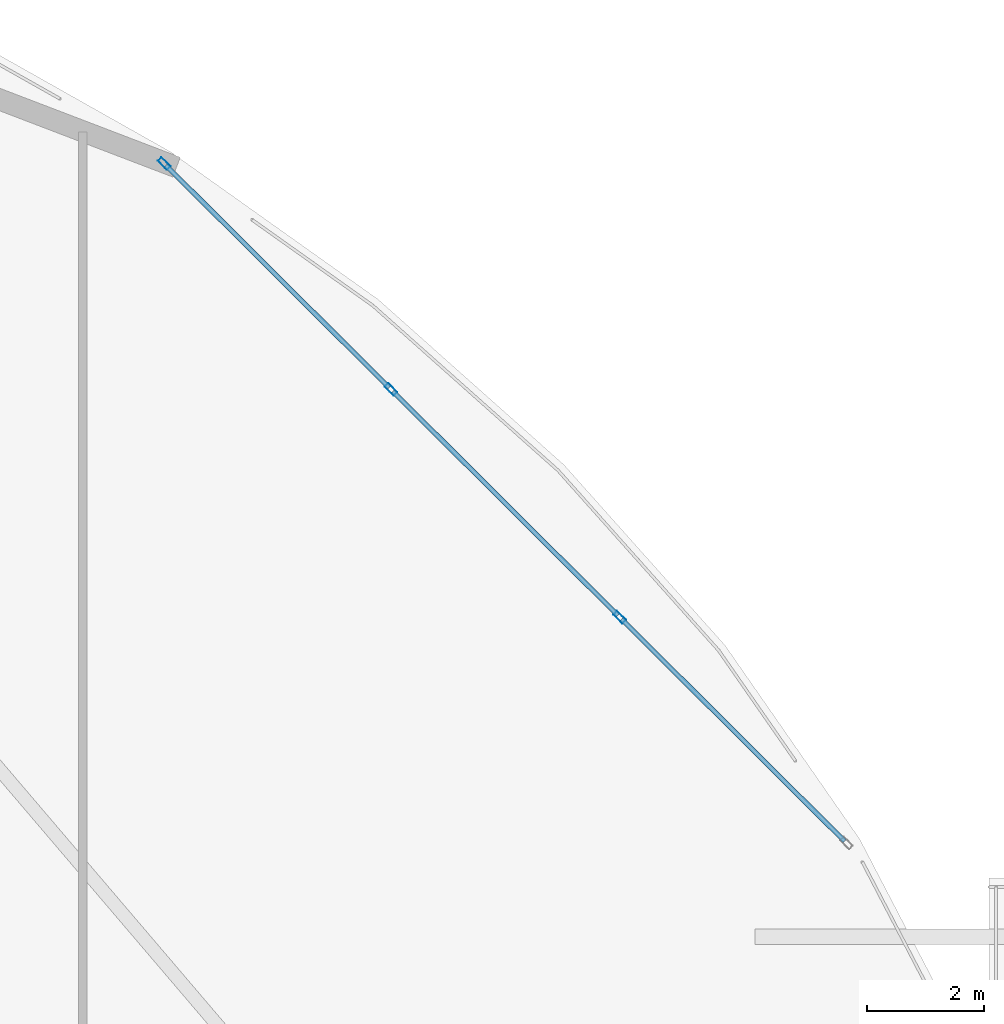
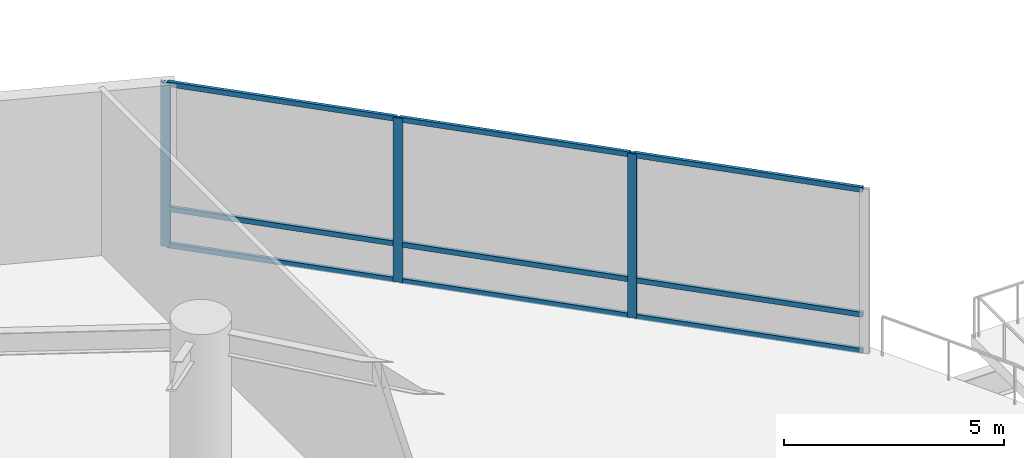
# One storey, part 11 of 26: 12 members, 1 element without a shape of its own.
"""IFC4 building model written with IfcOpenShell, lengths in metres."""

from ifc_helpers import new_model, si_unit, direction, frame, origin, origin_2d, place, context, subcontext, project, spatial, hollow_rectangle, extrude, material, layer, layer_set, material_profile, profile_set, type_object, element, aggregate, save


model = new_model("IFC4")

# Units and contexts
model_context = context("Model", 3, precision=1e-05, world=origin(), true_north=direction((0.0, 1.0)))
body_context = subcontext(model_context, "Body", "Model", "MODEL_VIEW")
ifc_project = project(units=[si_unit("LENGTHUNIT", "METRE"), si_unit("AREAUNIT", "SQUARE_METRE"), si_unit("VOLUMEUNIT", "CUBIC_METRE"), si_unit("PLANEANGLEUNIT", "RADIAN"), si_unit("MASSUNIT", "GRAM", prefix="KILO")], contexts=[model_context])

# Site, building, storey
site_placement = place(None, origin())
site = spatial("IfcSite", under=ifc_project, at=site_placement, CompositionType="ELEMENT")
building_placement = place(site_placement, origin())
building = spatial("IfcBuilding", under=site, at=building_placement, Name="Kazevale Care Tower and Concert Hall", CompositionType="ELEMENT")
storey_placement = place(building_placement, frame((0.0, 0.0, 19.199951171875)))
storey = spatial("IfcBuildingStorey", under=building, at=storey_placement, Name="L04", CompositionType="ELEMENT", Elevation=19.199951171875)

# Curtain wall, members
ifc_material_1 = material(Name="Aluminium 6063-T6 and Low-E Glass", Category="aluminium")
ifc_layer = layer(ifc_material_1, 0.179931640625)
ifc_layer_set = layer_set([ifc_layer], Name="Aluminium 6063-T6 and Low-E Glass")
curtain_wall_type = type_object("IfcCurtainWallType", Name="Podium Double-Skin Medical Curtain Wall CW-1", PredefinedType="NOTDEFINED", material=ifc_layer_set)
curtain_wall_placement = place(storey_placement, origin())
curtain_wall = element("IfcCurtainWall", 1, at=curtain_wall_placement, inside=storey, type_object=curtain_wall_type, Name="cw:L04:pod:02", PredefinedType="NOTDEFINED")
ifc_material_2 = material(Name="Aluminium 6063-T6", Category="aluminium")
ifc_material_profile_1 = material_profile(ifc_material_2, hollow_rectangle(XDim=0.090087890625, YDim=0.219970703125, WallThickness=0.0048828125, at=origin_2d()), Name="ALU90x220x5")
ifc_profile_set_1 = profile_set([ifc_material_profile_1], Name="Aluminium 6063-T6")
member_type_1 = type_object("IfcMemberType", Name="CW-1 Mullion ALU90x220x5", PredefinedType="MULLION", material=ifc_profile_set_1)
member_1_placement = place(storey_placement, frame((79.182373046875, 56.464599609375, 0.0), z_axis=(0.0, 0.0, 1.0), x_axis=(-0.705655814257, -0.708554776856, 0.0)))
member_1 = element("IfcMember", 2, at=member_1_placement, type_object=member_type_1, Name="CW-1 mullion 2", PredefinedType="MULLION", context=body_context, shape_type="SweptSolid", body=[
    extrude(hollow_rectangle(XDim=0.090087890625, YDim=0.219970703125, WallThickness=0.0048828125, at=origin_2d()), origin(), (0.0, 0.0, 1.0), 4.56005859375),
])
member_2_placement = place(storey_placement, frame((75.271728515625, 60.359375, 0.0), z_axis=(0.0, 0.0, 1.0), x_axis=(-0.705655814257, -0.708554776856, 0.0)))
member_2 = element("IfcMember", 3, at=member_2_placement, type_object=member_type_1, Name="CW-1 mullion 3", PredefinedType="MULLION", context=body_context, shape_type="SweptSolid", body=[
    extrude(hollow_rectangle(XDim=0.090087890625, YDim=0.219970703125, WallThickness=0.0048828125, at=origin_2d()), origin(), (0.0, 0.0, 1.0), 4.56005859375),
])
member_3_placement = place(storey_placement, frame((71.392822265625, 64.22216796875, 0.0), z_axis=(0.0, 0.0, 1.0), x_axis=(-0.705655814257, -0.708554776856, 0.0)))
member_3 = element("IfcMember", 4, at=member_3_placement, type_object=member_type_1, Name="CW-1 mullion 4", PredefinedType="MULLION", context=body_context, shape_type="SweptSolid", body=[
    extrude(hollow_rectangle(XDim=0.090087890625, YDim=0.219970703125, WallThickness=0.0048828125, at=origin_2d()), origin(), (0.0, 0.0, 1.0), 4.56005859375),
])
ifc_material_profile_2 = material_profile(ifc_material_2, hollow_rectangle(XDim=0.080078125, YDim=0.139892578125, WallThickness=0.00390625, at=origin_2d()), Name="ALU80x140x4")
ifc_profile_set_2 = profile_set([ifc_material_profile_2], Name="Aluminium 6063-T6")
member_type_2 = type_object("IfcMemberType", Name="CW-1 Transom ALU80x140x4", PredefinedType="USERDEFINED", material=ifc_profile_set_2)
member_4_placement = place(storey_placement, frame((83.029296875, 52.633544921875, 0.0400390625), z_axis=(-0.708578901075, 0.705631590103, 0.0), x_axis=(-0.705631590103, -0.708578901075, 0.0)))
member_4 = element("IfcMember", 5, at=member_4_placement, type_object=member_type_2, Name="CW-1 transom 1.1", ObjectType="TRANSOM", PredefinedType="USERDEFINED", context=body_context, shape_type="SweptSolid", body=[
    extrude(hollow_rectangle(XDim=0.080078125, YDim=0.139892578125, WallThickness=0.00390625, at=origin_2d()), origin(), (0.0, 0.0, 1.0), 5.38427734375),
])
member_5_placement = place(storey_placement, frame((83.029296875, 52.633544921875, 1.050048828125), z_axis=(-0.708578901075, 0.705631590103, 0.0), x_axis=(-0.705631590103, -0.708578901075, 0.0)))
member_5 = element("IfcMember", 6, at=member_5_placement, type_object=member_type_2, Name="CW-1 transom 1.2", ObjectType="TRANSOM", PredefinedType="USERDEFINED", context=body_context, shape_type="SweptSolid", body=[
    extrude(hollow_rectangle(XDim=0.080078125, YDim=0.139892578125, WallThickness=0.00390625, at=origin_2d()), origin(), (0.0, 0.0, 1.0), 5.38427734375),
])
member_6_placement = place(storey_placement, frame((83.029296875, 52.633544921875, 4.52001953125), z_axis=(-0.708578901075, 0.705631590103, 0.0), x_axis=(-0.705631590103, -0.708578901075, 0.0)))
member_6 = element("IfcMember", 7, at=member_6_placement, type_object=member_type_2, Name="CW-1 transom 1.3", ObjectType="TRANSOM", PredefinedType="USERDEFINED", context=body_context, shape_type="SweptSolid", body=[
    extrude(hollow_rectangle(XDim=0.080078125, YDim=0.139892578125, WallThickness=0.00390625, at=origin_2d()), origin(), (0.0, 0.0, 1.0), 5.38427734375),
])
member_7_placement = place(storey_placement, frame((79.150390625, 56.496337890625, 0.0400390625), z_axis=(-0.708544259539, 0.705666374624, 0.0), x_axis=(-0.705666374624, -0.708544259539, 0.0)))
member_7 = element("IfcMember", 8, at=member_7_placement, type_object=member_type_2, Name="CW-1 transom 2.1", ObjectType="TRANSOM", PredefinedType="USERDEFINED", context=body_context, shape_type="SweptSolid", body=[
    extrude(hollow_rectangle(XDim=0.080078125, YDim=0.139892578125, WallThickness=0.00390625, at=origin_2d()), origin(), (0.0, 0.0, 1.0), 5.429443359375),
])
member_8_placement = place(storey_placement, frame((79.150390625, 56.496337890625, 1.050048828125), z_axis=(-0.708544259539, 0.705666374624, 0.0), x_axis=(-0.705666374624, -0.708544259539, 0.0)))
member_8 = element("IfcMember", 9, at=member_8_placement, type_object=member_type_2, Name="CW-1 transom 2.2", ObjectType="TRANSOM", PredefinedType="USERDEFINED", context=body_context, shape_type="SweptSolid", body=[
    extrude(hollow_rectangle(XDim=0.080078125, YDim=0.139892578125, WallThickness=0.00390625, at=origin_2d()), origin(), (0.0, 0.0, 1.0), 5.429443359375),
])
member_9_placement = place(storey_placement, frame((79.150390625, 56.496337890625, 4.52001953125), z_axis=(-0.708544259539, 0.705666374624, 0.0), x_axis=(-0.705666374624, -0.708544259539, 0.0)))
member_9 = element("IfcMember", 10, at=member_9_placement, type_object=member_type_2, Name="CW-1 transom 2.3", ObjectType="TRANSOM", PredefinedType="USERDEFINED", context=body_context, shape_type="SweptSolid", body=[
    extrude(hollow_rectangle(XDim=0.080078125, YDim=0.139892578125, WallThickness=0.00390625, at=origin_2d()), origin(), (0.0, 0.0, 1.0), 5.429443359375),
])
member_10_placement = place(storey_placement, frame((75.23974609375, 60.39111328125, 0.0400390625), z_axis=(-0.708556322862, 0.705654261896, 0.0), x_axis=(-0.705654261896, -0.708556322862, 0.0)))
member_10 = element("IfcMember", 11, at=member_10_placement, type_object=member_type_2, Name="CW-1 transom 3.1", ObjectType="TRANSOM", PredefinedType="USERDEFINED", context=body_context, shape_type="SweptSolid", body=[
    extrude(hollow_rectangle(XDim=0.080078125, YDim=0.139892578125, WallThickness=0.00390625, at=origin_2d()), origin(), (0.0, 0.0, 1.0), 5.384033203125),
])
member_11_placement = place(storey_placement, frame((75.23974609375, 60.39111328125, 1.050048828125), z_axis=(-0.708556322862, 0.705654261896, 0.0), x_axis=(-0.705654261896, -0.708556322862, 0.0)))
member_11 = element("IfcMember", 12, at=member_11_placement, type_object=member_type_2, Name="CW-1 transom 3.2", ObjectType="TRANSOM", PredefinedType="USERDEFINED", context=body_context, shape_type="SweptSolid", body=[
    extrude(hollow_rectangle(XDim=0.080078125, YDim=0.139892578125, WallThickness=0.00390625, at=origin_2d()), origin(), (0.0, 0.0, 1.0), 5.384033203125),
])
member_12_placement = place(storey_placement, frame((75.23974609375, 60.39111328125, 4.52001953125), z_axis=(-0.708556322862, 0.705654261896, 0.0), x_axis=(-0.705654261896, -0.708556322862, 0.0)))
member_12 = element("IfcMember", 13, at=member_12_placement, type_object=member_type_2, Name="CW-1 transom 3.3", ObjectType="TRANSOM", PredefinedType="USERDEFINED", context=body_context, shape_type="SweptSolid", body=[
    extrude(hollow_rectangle(XDim=0.080078125, YDim=0.139892578125, WallThickness=0.00390625, at=origin_2d()), origin(), (0.0, 0.0, 1.0), 5.384033203125),
])
aggregate(curtain_wall, [member_1, member_2, member_3, member_4, member_5, member_6, member_7, member_8, member_9, member_10, member_11, member_12])

save(model, "model.ifc")
